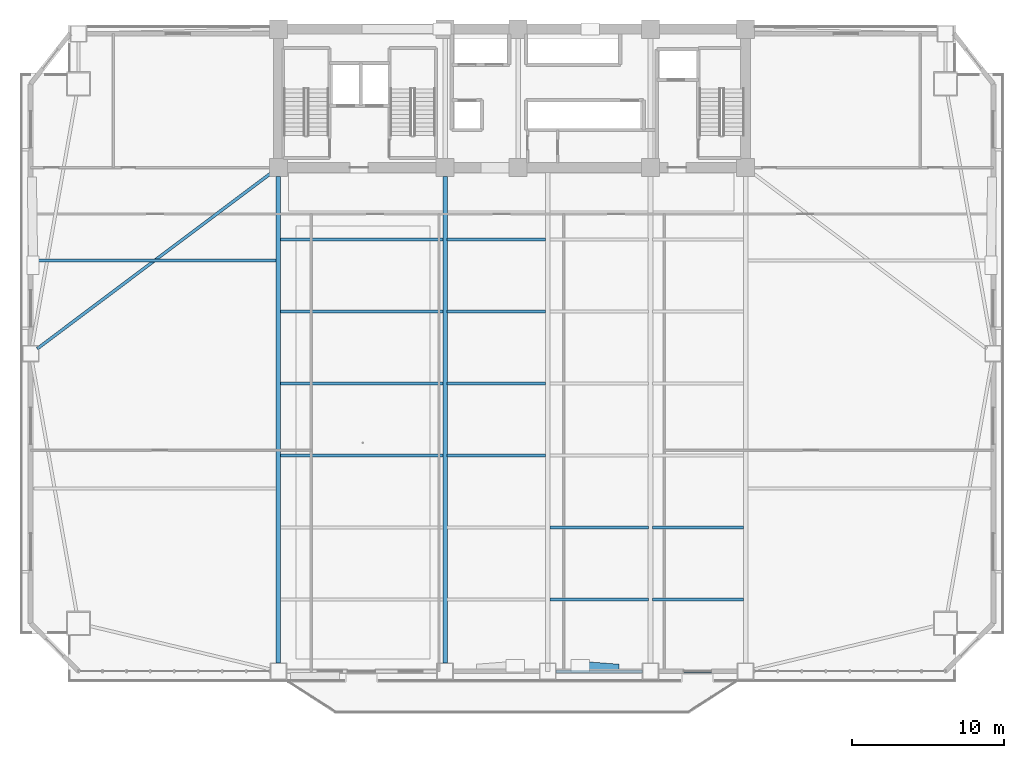
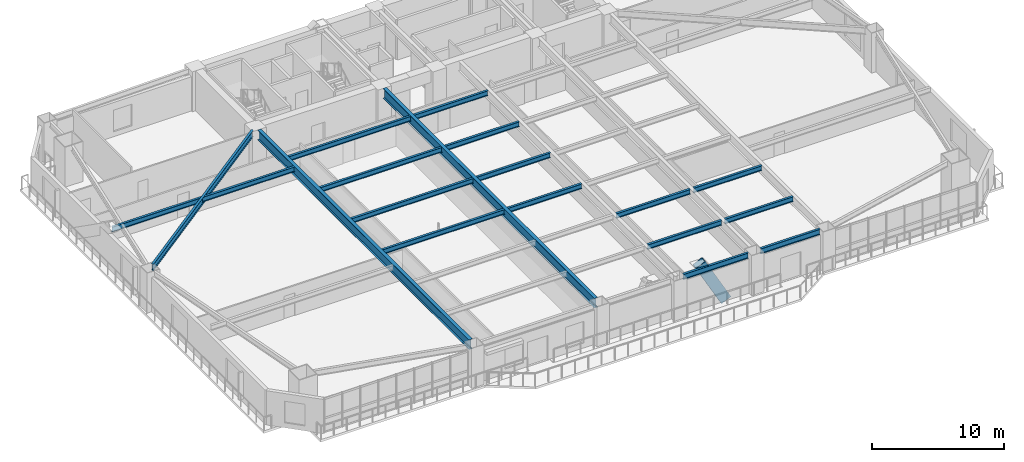
# One storey, part 5 of 17: 18 beams, 1 member.
"""IFC4 building model written with IfcOpenShell, lengths in metres."""

from ifc_helpers import new_model, si_unit, direction, frame, origin, origin_2d, place, context, subcontext, project, spatial, hollow_rectangle, i_section, extrude, source, transform, mapped, material, material_profile, profile_set, type_object, element, save


model = new_model("IFC4")

# Units and contexts
model_context = context("Model", 3, precision=1e-05, world=origin(), true_north=direction((0.0, 1.0)))
body_context = subcontext(model_context, "Body", "Model", "MODEL_VIEW")
ifc_project = project(units=[si_unit("LENGTHUNIT", "METRE"), si_unit("AREAUNIT", "SQUARE_METRE"), si_unit("VOLUMEUNIT", "CUBIC_METRE"), si_unit("PLANEANGLEUNIT", "RADIAN"), si_unit("MASSUNIT", "GRAM", prefix="KILO")], contexts=[model_context])

# Site, building, storey
site_placement = place(None, origin())
site = spatial("IfcSite", under=ifc_project, at=site_placement, CompositionType="ELEMENT")
building_placement = place(site_placement, origin())
building = spatial("IfcBuilding", under=site, at=building_placement, Name="Giltprow Tower", CompositionType="ELEMENT")
storey_placement = place(building_placement, frame((0.0, 0.0, 53.300048828125)))
storey = spatial("IfcBuildingStorey", under=building, at=storey_placement, Name="L13", CompositionType="ELEMENT", Elevation=53.300048828125)

# Beams
ifc_material_1 = material(Name="Structural steel Q355B", Category="steel")
ifc_material_profile_1 = material_profile(ifc_material_1, i_section(OverallWidth=0.199951171875, OverallDepth=0.5, WebThickness=0.010009765625, FlangeThickness=0.01611328125, at=origin_2d()), Name="HN 500x200x10x16")
ifc_profile_set_1 = profile_set([ifc_material_profile_1], Name="Structural steel Q355B")
beam_type_1 = type_object("IfcBeamType", Name="BM-SPAN-HN500", PredefinedType="SPANDREL", material=ifc_profile_set_1)
shared_shape_1 = source(origin(), body_context, "Body", "SweptSolid", [
    extrude(i_section(OverallWidth=0.199951171875, OverallDepth=0.5, WebThickness=0.010009765625, FlangeThickness=0.01611328125, at=origin_2d()), origin(), (0.0, 0.0, 1.0), 5.679931640625),
])
beam_1_placement = place(storey_placement, frame((38.0849609375, 4.35400390625, 3.429931640625), z_axis=(1.0, 0.0, 0.0), x_axis=(0.0, 1.0, 0.0)))
element("IfcBeam", 1, at=beam_1_placement, inside=storey, type_object=beam_type_1, Name="L13 Perimeter Spandrel Beam S_MID-S3", PredefinedType="SPANDREL", context=body_context, shape_type="MappedRepresentation", body=[
    mapped(shared_shape_1, transform((0.0, 0.0, 0.0), x_axis=(1.0, 0.0, 0.0), y_axis=(0.0, 1.0, 0.0), z_axis=(0.0, 0.0, 1.0), scale=1.0)),
])
shared_shape_2 = source(origin(), body_context, "Body", "SweptSolid", [
    extrude(i_section(OverallWidth=0.199951171875, OverallDepth=0.5, WebThickness=0.010009765625, FlangeThickness=0.01611328125, at=origin_2d()), origin(), (0.0, 0.0, 1.0), 5.179931640625),
])
beam_2_placement = place(storey_placement, frame((44.8349609375, 4.35400390625, 3.429931640625), z_axis=(1.0, 0.0, 0.0), x_axis=(0.0, 1.0, 0.0)))
element("IfcBeam", 2, at=beam_2_placement, inside=storey, type_object=beam_type_1, Name="L13 Perimeter Spandrel Beam S3-S4", PredefinedType="SPANDREL", context=body_context, shape_type="MappedRepresentation", body=[
    mapped(shared_shape_2, transform((0.0, 0.0, 0.0), x_axis=(1.0, 0.0, 0.0), y_axis=(0.0, 1.0, 0.0), z_axis=(0.0, 0.0, 1.0), scale=1.0)),
])
ifc_material_profile_2 = material_profile(ifc_material_1, i_section(OverallWidth=0.199951171875, OverallDepth=0.449951171875, WebThickness=0.009033203125, FlangeThickness=0.013916015625, at=origin_2d()), Name="HN 450x200x9x14")
ifc_profile_set_2 = profile_set([ifc_material_profile_2], Name="Structural steel Q355B")
beam_type_2 = type_object("IfcBeamType", Name="BM-JOIST-HN450", PredefinedType="JOIST", material=ifc_profile_set_2)
shared_shape_3 = source(origin(), body_context, "Body", "SweptSolid", [
    extrude(i_section(OverallWidth=0.199951171875, OverallDepth=0.449951171875, WebThickness=0.009033203125, FlangeThickness=0.013916015625, at=origin_2d()), origin(), (0.0, 0.0, 1.0), 10.659912109375),
])
for number, where, z_axis, x_axis, name in (
    (3, (19.9951171875, 18.5380859375, 3.454833984375), (1.0, 0.0, 0.0), (0.0, 1.0, 0.0), "L13 Composite Floor Joist 3-1"),
    (4, (19.9951171875, 23.26611328125, 3.454833984375), (1.0, 0.0, 0.0), (0.0, 1.0, 0.0), "L13 Composite Floor Joist 4-1"),
    (5, (19.9951171875, 27.993896484375, 3.454833984375), (1.0, 0.0, 0.0), (0.0, 1.0, 0.0), "L13 Composite Floor Joist 5-1"),
    (6, (19.9951171875, 32.721923828125, 3.454833984375), (1.0, 0.0, 0.0), (0.0, 1.0, 0.0), "L13 Composite Floor Joist 6-1"),
):
    element("IfcBeam", number, at=place(storey_placement, frame(where, z_axis=z_axis, x_axis=x_axis)), inside=storey, type_object=beam_type_2, Name=name, PredefinedType="JOIST", context=body_context, shape_type="MappedRepresentation", body=[
        mapped(shared_shape_3, transform((0.0, 0.0, 0.0), x_axis=(1.0, 0.0, 0.0), y_axis=(0.0, 1.0, 0.0), z_axis=(0.0, 0.0, 1.0), scale=1.0)),
    ])
shared_shape_4 = source(origin(), body_context, "Body", "SweptSolid", [
    extrude(i_section(OverallWidth=0.199951171875, OverallDepth=0.449951171875, WebThickness=0.009033203125, FlangeThickness=0.013916015625, at=origin_2d()), origin(), (0.0, 0.0, 1.0), 6.4599609375),
])
for number, where, z_axis, x_axis, name in (
    (7, (37.695068359375, 9.08203125, 3.454833984375), (1.0, 0.0, 0.0), (0.0, 1.0, 0.0), "L13 Composite Floor Joist 1-3"),
    (8, (37.695068359375, 13.81005859375, 3.454833984375), (1.0, 0.0, 0.0), (0.0, 1.0, 0.0), "L13 Composite Floor Joist 2-3"),
    (9, (30.945068359375, 18.5380859375, 3.454833984375), (1.0, 0.0, 0.0), (0.0, 1.0, 0.0), "L13 Composite Floor Joist 3-2"),
    (10, (30.945068359375, 23.26611328125, 3.454833984375), (1.0, 0.0, 0.0), (0.0, 1.0, 0.0), "L13 Composite Floor Joist 4-2"),
    (11, (30.945068359375, 27.993896484375, 3.454833984375), (1.0, 0.0, 0.0), (0.0, 1.0, 0.0), "L13 Composite Floor Joist 5-2"),
    (12, (30.945068359375, 32.721923828125, 3.454833984375), (1.0, 0.0, 0.0), (0.0, 1.0, 0.0), "L13 Composite Floor Joist 6-2"),
):
    element("IfcBeam", number, at=place(storey_placement, frame(where, z_axis=z_axis, x_axis=x_axis)), inside=storey, type_object=beam_type_2, Name=name, PredefinedType="JOIST", context=body_context, shape_type="MappedRepresentation", body=[
        mapped(shared_shape_4, transform((0.0, 0.0, 0.0), x_axis=(1.0, 0.0, 0.0), y_axis=(0.0, 1.0, 0.0), z_axis=(0.0, 0.0, 1.0), scale=1.0)),
    ])
shared_shape_5 = source(origin(), body_context, "Body", "SweptSolid", [
    extrude(i_section(OverallWidth=0.199951171875, OverallDepth=0.449951171875, WebThickness=0.009033203125, FlangeThickness=0.013916015625, at=origin_2d()), origin(), (0.0, 0.0, 1.0), 5.9599609375),
])
for number, where, z_axis, x_axis, name in (
    (13, (44.445068359375, 9.08203125, 3.454833984375), (1.0, 0.0, 0.0), (0.0, 1.0, 0.0), "L13 Composite Floor Joist 1-4"),
    (14, (44.445068359375, 13.81005859375, 3.454833984375), (1.0, 0.0, 0.0), (0.0, 1.0, 0.0), "L13 Composite Floor Joist 2-4"),
):
    element("IfcBeam", number, at=place(storey_placement, frame(where, z_axis=z_axis, x_axis=x_axis)), inside=storey, type_object=beam_type_2, Name=name, PredefinedType="JOIST", context=body_context, shape_type="MappedRepresentation", body=[
        mapped(shared_shape_5, transform((0.0, 0.0, 0.0), x_axis=(1.0, 0.0, 0.0), y_axis=(0.0, 1.0, 0.0), z_axis=(0.0, 0.0, 1.0), scale=1.0)),
    ])
ifc_material_profile_3 = material_profile(ifc_material_1, i_section(OverallWidth=0.300048828125, OverallDepth=0.89990234375, WebThickness=0.01611328125, FlangeThickness=0.028076171875, at=origin_2d()), Name="HN 900x300x16x28")
ifc_profile_set_3 = profile_set([ifc_material_profile_3], Name="Structural steel Q355B")
beam_type_3 = type_object("IfcBeamType", Name="BM-GIRD-HN900", PredefinedType="BEAM", material=ifc_profile_set_3)
shared_shape_6 = source(origin(), body_context, "Body", "SweptSolid", [
    extrude(i_section(OverallWidth=0.300048828125, OverallDepth=0.89990234375, WebThickness=0.01611328125, FlangeThickness=0.028076171875, at=origin_2d()), origin(), (0.0, 0.0, 1.0), 31.97607421875),
])
for number, where, z_axis, x_axis, name in (
    (15, (19.85009765625, 4.888916015625, 3.22998046875), (0.0, 1.0, 0.0), (-1.0, 0.0, 0.0), "L13 Primary Lease Girder S1"),
    (16, (30.800048828125, 4.888916015625, 3.22998046875), (0.0, 1.0, 0.0), (-1.0, 0.0, 0.0), "L13 Primary Lease Girder S2"),
):
    element("IfcBeam", number, at=place(storey_placement, frame(where, z_axis=z_axis, x_axis=x_axis)), inside=storey, type_object=beam_type_3, Name=name, PredefinedType="BEAM", context=body_context, shape_type="MappedRepresentation", body=[
        mapped(shared_shape_6, transform((0.0, 0.0, 0.0), x_axis=(1.0, 0.0, 0.0), y_axis=(0.0, 1.0, 0.0), z_axis=(0.0, 0.0, 1.0), scale=1.0)),
    ])
ifc_material_profile_4 = material_profile(ifc_material_1, i_section(OverallWidth=0.199951171875, OverallDepth=0.60009765625, WebThickness=0.010986328125, FlangeThickness=0.01708984375, at=origin_2d()), Name="HN 600x200x11x17")
ifc_profile_set_4 = profile_set([ifc_material_profile_4], Name="Structural steel Q355B")
beam_type_4 = type_object("IfcBeamType", Name="BM-GIRD-HN600", PredefinedType="BEAM", material=ifc_profile_set_4)
shared_shape_7 = source(origin(), body_context, "Body", "SweptSolid", [
    extrude(i_section(OverallWidth=0.199951171875, OverallDepth=0.60009765625, WebThickness=0.010986328125, FlangeThickness=0.01708984375, at=origin_2d()), origin(), (0.0, 0.0, 1.0), 19.23779296875),
])
beam_3_placement = place(storey_placement, frame((3.998046875, 25.548095703125, 3.3798828125), z_axis=(0.799675510247, 0.600432409444, 0.0), x_axis=(-0.600432409444, 0.799675510247, 0.0)))
element("IfcBeam", 17, at=beam_3_placement, inside=storey, type_object=beam_type_4, Name="L13 West Wing Primary Girder", PredefinedType="BEAM", context=body_context, shape_type="MappedRepresentation", body=[
    mapped(shared_shape_7, transform((0.0, 0.0, 0.0), x_axis=(1.0, 0.0, 0.0), y_axis=(0.0, 1.0, 0.0), z_axis=(0.0, 0.0, 1.0), scale=1.0)),
])
shared_shape_8 = source(origin(), body_context, "Body", "SweptSolid", [
    extrude(i_section(OverallWidth=0.199951171875, OverallDepth=0.449951171875, WebThickness=0.009033203125, FlangeThickness=0.013916015625, at=origin_2d()), origin(), (0.0, 0.0, 1.0), 15.9150390625),
])
beam_4_placement = place(storey_placement, frame((3.7900390625, 31.339111328125, 3.454833984375), z_axis=(1.0, 0.0, 0.0), x_axis=(0.0, 1.0, 0.0)))
element("IfcBeam", 18, at=beam_4_placement, inside=storey, type_object=beam_type_2, Name="L13 West Wing Floor Joist 2", PredefinedType="JOIST", context=body_context, shape_type="MappedRepresentation", body=[
    mapped(shared_shape_8, transform((0.0, 0.0, 0.0), x_axis=(1.0, 0.0, 0.0), y_axis=(0.0, 1.0, 0.0), z_axis=(0.0, 0.0, 1.0), scale=1.0)),
])

# Member
ifc_material_2 = material(Name="Structural steel Q420GJC", Category="steel")
ifc_material_profile_5 = material_profile(ifc_material_2, hollow_rectangle(XDim=0.60009765625, YDim=0.89990234375, WallThickness=0.0400390625, at=origin_2d()), Name="RHS 900x600x40")
ifc_profile_set_5 = profile_set([ifc_material_profile_5], Name="Structural steel Q420GJC")
member_type = type_object("IfcMemberType", Name="MBR-MEGA-RHS900", PredefinedType="BRACE", material=ifc_profile_set_5)
shared_shape_9 = source(origin(), body_context, "Body", "SweptSolid", [
    extrude(hollow_rectangle(XDim=0.60009765625, YDim=0.89990234375, WallThickness=0.0400390625, at=origin_2d()), origin(), (0.0, 0.0, 1.0), 4.45166015625),
])
member_placement = place(storey_placement, frame((41.830078125, 4.547119140625, 0.0), z_axis=(-0.480745894518, 0.037731368404, 0.876047789075), x_axis=(-0.078244436767, -0.996934204506, 0.0)))
element("IfcMember", 19, at=member_placement, inside=storey, type_object=member_type, Name="L13 Chevron Mega-Brace S-R", PredefinedType="BRACE", context=body_context, shape_type="MappedRepresentation", body=[
    mapped(shared_shape_9, transform((0.0, 0.0, 0.0), x_axis=(1.0, 0.0, 0.0), y_axis=(0.0, 1.0, 0.0), z_axis=(0.0, 0.0, 1.0), scale=1.0)),
])

save(model, "model.ifc")
